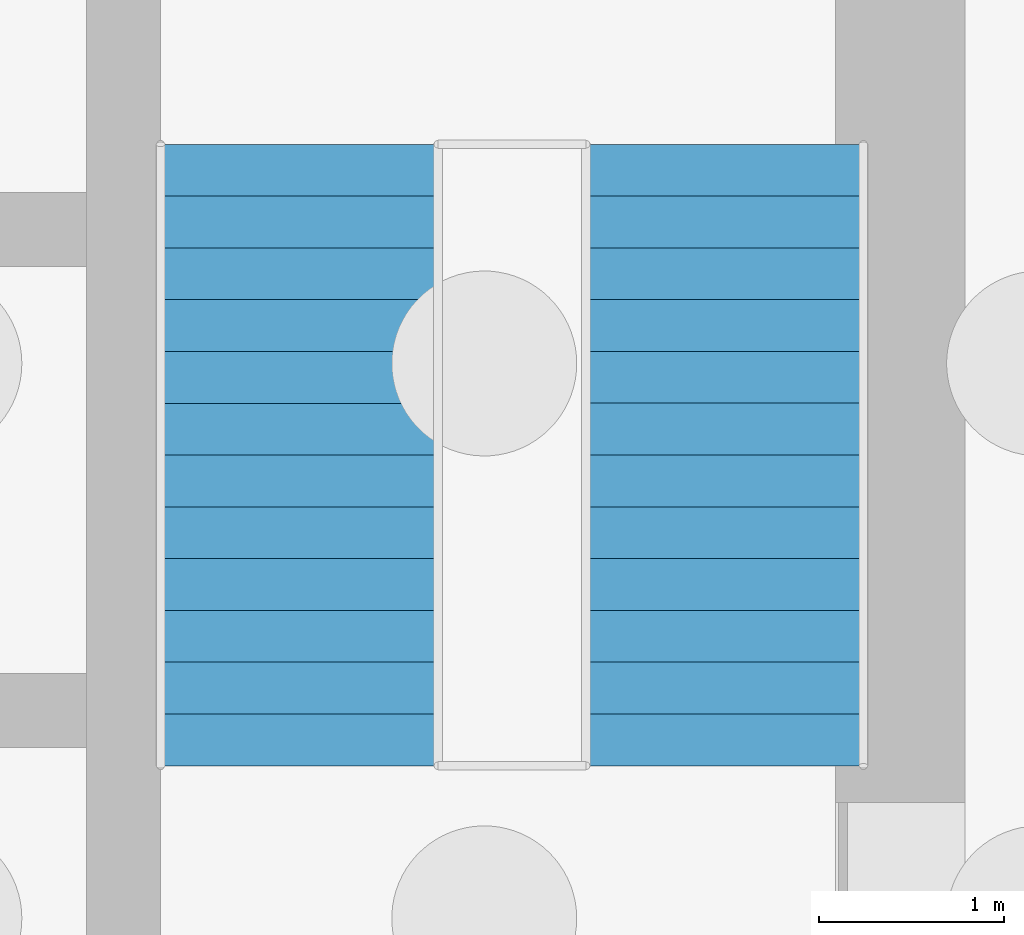
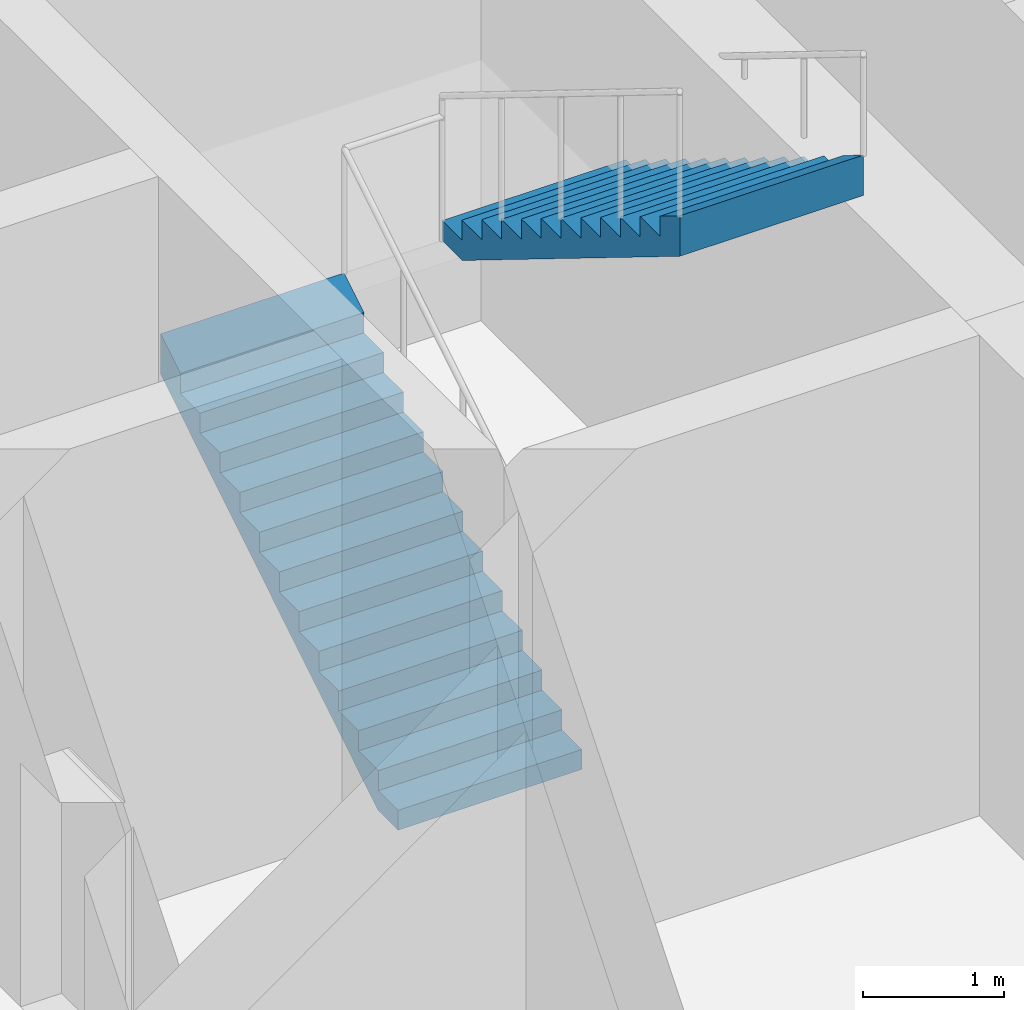
# One storey, part 14 of 16: 2 stair flights, 1 element without a shape of its own.
"""IFC4 building model written with IfcOpenShell, lengths in metres."""

import ifcopenshell
import ifcopenshell.guid

model = None  # the IFC model being written
_history = None  # IfcOwnerHistory: only IFC2X3 demands one
_inside = {}  # id of a spatial element -> (the spatial element, [elements in it])
_under = {}  # id of a project, library or spatial element -> (it, [spatial elements below it])
_declared = {}  # id of a project -> (the project, [libraries it declares])
_typed = {}  # id of a type object -> (the type object, [elements of that type])
_made_of = {}  # id of a material, layer set ... -> (it, [elements and type objects made of it])


def new_model(schema):
    """Start an empty IFC model of exactly this schema.

    Asked for "IFC4X3", IfcOpenShell would pick the latest addendum, in which some entities
    have other attributes; the version numbers below select the first issue.
    IFC2X3 requires an IfcOwnerHistory on every rooted entity: one is made here for all.
    """
    global model, _history
    if schema == "IFC4X3":
        model = ifcopenshell.file(schema_version=(4, 3, 0, 0))
    else:
        model = ifcopenshell.file(schema=schema)
    _inside.clear()
    _under.clear()
    _declared.clear()
    _typed.clear()
    _made_of.clear()
    _history = None
    if model.schema == "IFC2X3":
        org = make("IfcOrganization", Name="unknown")
        user = make(
            "IfcPersonAndOrganization",
            ThePerson=make("IfcPerson", FamilyName="unknown"),
            TheOrganization=org,
        )
        app = make(
            "IfcApplication",
            ApplicationDeveloper=org,
            Version="unknown",
            ApplicationFullName="unknown",
            ApplicationIdentifier="unknown",
        )
        _history = make(
            "IfcOwnerHistory",
            OwningUser=user,
            OwningApplication=app,
            ChangeAction="ADDED",
            CreationDate=0,
        )
    return model


def make(cls, **values):
    """One entity of the class cls with the attributes given. An attribute that is None is left unset."""
    return model.create_entity(
        cls, **{name: value for name, value in values.items() if value is not None}
    )


def rooted(cls, **values):
    """An entity with a GlobalId (a new one), such as an element, a storey or a relation."""
    return make(cls, GlobalId=ifcopenshell.guid.new(), OwnerHistory=_history, **values)


def si_unit(unit_type, name, prefix=None):
    """IfcSIUnit, for example si_unit("LENGTHUNIT", "METRE", prefix="MILLI")."""
    return make("IfcSIUnit", UnitType=unit_type, Prefix=prefix, Name=name)


def assignment(units):
    """IfcUnitAssignment: the units of a project."""
    return None if units is None else make("IfcUnitAssignment", Units=units)


def point(xyz):
    """IfcCartesianPoint."""
    return None if xyz is None else make("IfcCartesianPoint", Coordinates=xyz)


def direction(xyz):
    """IfcDirection."""
    return None if xyz is None else make("IfcDirection", DirectionRatios=xyz)


def frame(location, z_axis=None, x_axis=None):
    """IfcAxis2Placement3D, a coordinate frame: its origin and axes. An axis left out is left unset."""
    return make(
        "IfcAxis2Placement3D",
        Location=point(location),
        Axis=direction(z_axis),
        RefDirection=direction(x_axis),
    )


def origin():
    """The frame at (0, 0, 0) with its axes left unset."""
    return frame((0.0, 0.0, 0.0))


def place(relative_to, where):
    """IfcLocalPlacement: puts the frame where relative to a parent placement (None: the world)."""
    return make(
        "IfcLocalPlacement", PlacementRelTo=relative_to, RelativePlacement=where
    )


def context(
    kind, dimensions, precision=None, world=None, true_north=None, identifier=None
):
    """IfcGeometricRepresentationContext, for example the 3D "Model" context."""
    return make(
        "IfcGeometricRepresentationContext",
        ContextIdentifier=identifier,
        ContextType=kind,
        CoordinateSpaceDimension=dimensions,
        Precision=precision,
        WorldCoordinateSystem=world,
        TrueNorth=true_north,
    )


def subcontext(parent, identifier, kind, view, scale=None):
    """IfcGeometricRepresentationSubContext, for example "Body" below "Model"."""
    return make(
        "IfcGeometricRepresentationSubContext",
        ContextIdentifier=identifier,
        ContextType=kind,
        ParentContext=parent,
        TargetScale=scale,
        TargetView=view,
    )


def project(units=None, contexts=None):
    """IfcProject with its units and contexts."""
    return rooted(
        "IfcProject",
        Name="project",
        RepresentationContexts=contexts,
        UnitsInContext=assignment(units),
    )


def spatial(cls, under=None, at=None, **own):
    """A site, building, storey or space (cls), placed at a placement, below another one or the project."""
    s = rooted(cls, ObjectPlacement=at, **own)
    if under is not None:
        _under.setdefault(under.id(), (under, []))[1].append(s)
    return s


def point_list(points):
    """IfcCartesianPointList2D or 3D."""
    cls = (
        "IfcCartesianPointList2D" if len(points[0]) == 2 else "IfcCartesianPointList3D"
    )
    return make(cls, CoordList=points)


def triangles(points, corners, closed=None, point_numbers=None):
    """IfcTriangulatedFaceSet: each triangle names its three corners, points numbered from 1."""
    return make(
        "IfcTriangulatedFaceSet",
        Coordinates=point_list(points),
        Closed=closed,
        CoordIndex=corners,
        PnIndex=point_numbers,
    )


def shape(context_of_items, identifier, shape_type, items):
    """IfcShapeRepresentation: the items that make up one representation, for example the "Body"."""
    return make(
        "IfcShapeRepresentation",
        ContextOfItems=context_of_items,
        RepresentationIdentifier=identifier,
        RepresentationType=shape_type,
        Items=items,
    )


def material(Name=None, Category=None):
    """IfcMaterial."""
    return make("IfcMaterial", Name=Name, Category=Category)


def made_of(thing, what):
    """Note that an element or type object is made of a material, layer set ...; save() writes the relation."""
    if what is not None:
        _made_of.setdefault(what.id(), (what, []))[1].append(thing)
    return thing


def type_object(cls, material=None, **own):
    """A type object (cls), such as IfcWallType, which elements share."""
    return made_of(rooted(cls, **own), material)


def element(
    cls,
    number,
    at=None,
    inside=None,
    cuts=None,
    type_object=None,
    material=None,
    context=None,
    identifier="Body",
    shape_type=None,
    held_by="IfcProductDefinitionShape",
    body=None,
    shapes=None,
    **own,
):
    """One element of the class cls, such as IfcWall. Its Tag is "e" and its number.

    at: its placement. inside: the storey or other place that contains it. cuts: it is an
    opening in that element (IfcRelVoidsElement). A single representation is given by context,
    identifier, shape_type and body (its items); several are given by shapes. held_by: the class
    of the entity that holds the representations. save() writes the other relations.
    """
    e = rooted(cls, Tag="e%d" % number, ObjectPlacement=at, **own)
    if body is not None:
        shapes = [shape(context, identifier, shape_type, body)]
    if shapes is not None:
        e.Representation = make(held_by, Representations=shapes)
    if inside is not None:
        _inside.setdefault(inside.id(), (inside, []))[1].append(e)
    if cuts is not None:
        rooted(
            "IfcRelVoidsElement", RelatingBuildingElement=cuts, RelatedOpeningElement=e
        )
    if type_object is not None:
        _typed.setdefault(type_object.id(), (type_object, []))[1].append(e)
    return made_of(e, material)


def aggregate(whole, parts):
    """IfcRelAggregates: a whole, such as a stair, and the parts it consists of."""
    return rooted("IfcRelAggregates", RelatingObject=whole, RelatedObjects=parts)


def save(model, path):
    """Write the relations noted so far, then the file.

    IfcRelAggregates (storeys below a building ...), IfcRelContainedInSpatialStructure (elements
    in a storey), IfcRelDefinesByType, IfcRelAssociatesMaterial and IfcRelDeclares: one each for
    every whole, place, type object, material and project.
    """
    for whole, parts in _under.values():
        aggregate(whole, parts)
    for where, things in _inside.values():
        rooted(
            "IfcRelContainedInSpatialStructure",
            RelatedElements=things,
            RelatingStructure=where,
        )
    for kind, things in _typed.values():
        rooted("IfcRelDefinesByType", RelatedObjects=things, RelatingType=kind)
    for what, things in _made_of.values():
        rooted("IfcRelAssociatesMaterial", RelatedObjects=things, RelatingMaterial=what)
    for by, libraries in _declared.values():
        rooted("IfcRelDeclares", RelatingContext=by, RelatedDefinitions=libraries)
    model.write(path)


model = new_model("IFC4")

# Units and contexts
model_context = context("Model", 3, precision=1e-05, world=origin(), true_north=direction((0.0, 1.0)))
body_context = subcontext(model_context, "Body", "Model", "MODEL_VIEW")
ifc_project = project(units=[si_unit("LENGTHUNIT", "METRE"), si_unit("AREAUNIT", "SQUARE_METRE"), si_unit("VOLUMEUNIT", "CUBIC_METRE"), si_unit("PLANEANGLEUNIT", "RADIAN"), si_unit("MASSUNIT", "GRAM", prefix="KILO")], contexts=[model_context])

# Site, building, storey
site_placement = place(None, origin())
site = spatial("IfcSite", under=ifc_project, at=site_placement, CompositionType="ELEMENT")
building_placement = place(site_placement, origin())
building = spatial("IfcBuilding", under=site, at=building_placement, Name="Ludao Terraces", CompositionType="ELEMENT")
storey_placement = place(building_placement, frame((0.0, 0.0, -9.0)))
storey = spatial("IfcBuildingStorey", under=building, at=storey_placement, Name="B2", CompositionType="ELEMENT", Elevation=-9.0)

# Stair, stair flights
ifc_material = material(Name="Concrete C40", Category="concrete")
stair_type = type_object("IfcStairType", Name="INT Stair", PredefinedType="HALF_TURN_STAIR", material=ifc_material)
stair_placement = place(storey_placement, origin())
stair = element("IfcStair", 1, at=stair_placement, inside=storey, type_object=stair_type, Name="EXIT STAIR 2", PredefinedType="HALF_TURN_STAIR")
stair_flight_type = type_object("IfcStairFlightType", Name="INT Stair flight", PredefinedType="STRAIGHT", material=ifc_material)
stair_flight_1_placement = place(storey_placement, frame((91.5, 79.0, 0.0), z_axis=(0.0, 0.0, 1.0), x_axis=(0.0, 1.0, 0.0)))
stair_flight_1 = element("IfcStairFlight", 2, at=stair_flight_1_placement, type_object=stair_flight_type, Name="ST2 flight 1", NumberOfRisers=13, NumberOfTreads=12, PredefinedType="STRAIGHT", RiserHeight=0.173077, TreadLength=0.28, context=body_context, shape_type="Tessellation", body=[
    triangles([(0.0, -0.75, 0.0), (0.0, -0.5, 0.0), (0.0, -0.25, 0.0), (0.0, 0.0, 0.0), (0.0, 0.25, 0.0), (0.0, 0.5, 0.0), (0.0, 0.75, 0.0), (0.0, -0.75, 0.173095703125), (0.0, -0.5, 0.173095703125), (0.0, -0.25, 0.173095703125), (0.0, 0.0, 0.173095703125), (0.0, 0.25, 0.173095703125), (0.0, 0.5, 0.173095703125), (0.0, 0.75, 0.173095703125), (0.280029296875, -0.75, 0.173095703125), (0.280029296875, -0.5, 0.173095703125), (0.280029296875, -0.25, 0.173095703125), (0.280029296875, 0.0, 0.173095703125), (0.280029296875, 0.25, 0.173095703125), (0.280029296875, 0.5, 0.173095703125), (0.280029296875, 0.75, 0.173095703125), (0.280029296875, -0.75, 0.34619140625), (0.280029296875, -0.5, 0.34619140625), (0.280029296875, -0.25, 0.34619140625), (0.280029296875, 0.0, 0.34619140625), (0.280029296875, 0.25, 0.34619140625), (0.280029296875, 0.5, 0.34619140625), (0.280029296875, 0.75, 0.34619140625), (0.56005859375, -0.75, 0.34619140625), (0.56005859375, -0.5, 0.34619140625), (0.56005859375, -0.25, 0.34619140625), (0.56005859375, 0.0, 0.34619140625), (0.56005859375, 0.25, 0.34619140625), (0.56005859375, 0.5, 0.34619140625), (0.56005859375, 0.75, 0.34619140625), (0.56005859375, -0.75, 0.519287109375), (0.56005859375, -0.5, 0.519287109375), (0.56005859375, -0.25, 0.519287109375), (0.56005859375, 0.0, 0.519287109375), (0.56005859375, 0.25, 0.519287109375), (0.56005859375, 0.5, 0.519287109375), (0.56005859375, 0.75, 0.519287109375), (0.840087890625, -0.75, 0.519287109375), (0.840087890625, -0.5, 0.519287109375), (0.840087890625, -0.25, 0.519287109375), (0.840087890625, 0.0, 0.519287109375), (0.840087890625, 0.25, 0.519287109375), (0.840087890625, 0.5, 0.519287109375), (0.840087890625, 0.75, 0.519287109375), (0.840087890625, -0.75, 0.6923828125), (0.840087890625, -0.5, 0.6923828125), (0.840087890625, -0.25, 0.6923828125), (0.840087890625, 0.0, 0.6923828125), (0.840087890625, 0.25, 0.6923828125), (0.840087890625, 0.5, 0.6923828125), (0.840087890625, 0.75, 0.6923828125), (1.1201171875, -0.75, 0.6923828125), (1.1201171875, -0.5, 0.6923828125), (1.1201171875, -0.25, 0.6923828125), (1.1201171875, 0.0, 0.6923828125), (1.1201171875, 0.25, 0.6923828125), (1.1201171875, 0.5, 0.6923828125), (1.1201171875, 0.75, 0.6923828125), (1.1201171875, -0.75, 0.865478515625), (1.1201171875, -0.5, 0.865478515625), (1.1201171875, -0.25, 0.865478515625), (1.1201171875, 0.0, 0.865478515625), (1.1201171875, 0.25, 0.865478515625), (1.1201171875, 0.5, 0.865478515625), (1.1201171875, 0.75, 0.865478515625), (1.39990234375, -0.75, 0.865478515625), (1.39990234375, -0.5, 0.865478515625), (1.39990234375, -0.25, 0.865478515625), (1.39990234375, 0.0, 0.865478515625), (1.39990234375, 0.25, 0.865478515625), (1.39990234375, 0.5, 0.865478515625), (1.39990234375, 0.75, 0.865478515625), (1.39990234375, -0.75, 1.03857421875), (1.39990234375, -0.5, 1.03857421875), (1.39990234375, -0.25, 1.03857421875), (1.39990234375, 0.0, 1.03857421875), (1.39990234375, 0.25, 1.03857421875), (1.39990234375, 0.5, 1.03857421875), (1.39990234375, 0.75, 1.03857421875), (1.679931640625, -0.75, 1.03857421875), (1.679931640625, -0.5, 1.03857421875), (1.679931640625, -0.25, 1.03857421875), (1.679931640625, 0.0, 1.03857421875), (1.679931640625, 0.25, 1.03857421875), (1.679931640625, 0.5, 1.03857421875), (1.679931640625, 0.75, 1.03857421875), (1.679931640625, -0.75, 1.21142578125), (1.679931640625, -0.5, 1.21142578125), (1.679931640625, -0.25, 1.21142578125), (1.679931640625, 0.0, 1.21142578125), (1.679931640625, 0.25, 1.21142578125), (1.679931640625, 0.5, 1.21142578125), (1.679931640625, 0.75, 1.21142578125), (1.9599609375, -0.75, 1.21142578125), (1.9599609375, -0.5, 1.21142578125), (1.9599609375, -0.25, 1.21142578125), (1.9599609375, 0.0, 1.21142578125), (1.9599609375, 0.25, 1.21142578125), (1.9599609375, 0.5, 1.21142578125), (1.9599609375, 0.75, 1.21142578125), (1.9599609375, -0.75, 1.384521484375), (1.9599609375, -0.5, 1.384521484375), (1.9599609375, -0.25, 1.384521484375), (1.9599609375, 0.0, 1.384521484375), (1.9599609375, 0.25, 1.384521484375), (1.9599609375, 0.5, 1.384521484375), (1.9599609375, 0.75, 1.384521484375), (2.239990234375, -0.75, 1.384521484375), (2.239990234375, -0.5, 1.384521484375), (2.239990234375, -0.25, 1.384521484375), (2.239990234375, 0.0, 1.384521484375), (2.239990234375, 0.25, 1.384521484375), (2.239990234375, 0.5, 1.384521484375), (2.239990234375, 0.75, 1.384521484375), (2.239990234375, -0.75, 1.5576171875), (2.239990234375, -0.5, 1.5576171875), (2.239990234375, -0.25, 1.5576171875), (2.239990234375, 0.0, 1.5576171875), (2.239990234375, 0.25, 1.5576171875), (2.239990234375, 0.5, 1.5576171875), (2.239990234375, 0.75, 1.5576171875), (2.52001953125, -0.75, 1.5576171875), (2.52001953125, -0.5, 1.5576171875), (2.52001953125, -0.25, 1.5576171875), (2.52001953125, 0.0, 1.5576171875), (2.52001953125, 0.25, 1.5576171875), (2.52001953125, 0.5, 1.5576171875), (2.52001953125, 0.75, 1.5576171875), (2.52001953125, -0.75, 1.730712890625), (2.52001953125, -0.5, 1.730712890625), (2.52001953125, -0.25, 1.730712890625), (2.52001953125, 0.0, 1.730712890625), (2.52001953125, 0.25, 1.730712890625), (2.52001953125, 0.5, 1.730712890625), (2.52001953125, 0.75, 1.730712890625), (2.800048828125, -0.75, 1.730712890625), (2.800048828125, -0.5, 1.730712890625), (2.800048828125, -0.25, 1.730712890625), (2.800048828125, 0.0, 1.730712890625), (2.800048828125, 0.25, 1.730712890625), (2.800048828125, 0.5, 1.730712890625), (2.800048828125, 0.75, 1.730712890625), (2.800048828125, -0.75, 1.90380859375), (2.800048828125, -0.5, 1.90380859375), (2.800048828125, -0.25, 1.90380859375), (2.800048828125, 0.0, 1.90380859375), (2.800048828125, 0.25, 1.90380859375), (2.800048828125, 0.5, 1.90380859375), (2.800048828125, 0.75, 1.90380859375), (3.080078125, -0.75, 1.90380859375), (3.080078125, -0.5, 1.90380859375), (3.080078125, -0.25, 1.90380859375), (3.080078125, 0.0, 1.90380859375), (3.080078125, 0.25, 1.90380859375), (3.080078125, 0.5, 1.90380859375), (3.080078125, 0.75, 1.90380859375), (3.080078125, -0.75, 2.076904296875), (3.080078125, -0.5, 2.076904296875), (3.080078125, -0.25, 2.076904296875), (3.080078125, 0.0, 2.076904296875), (3.080078125, 0.25, 2.076904296875), (3.080078125, 0.5, 2.076904296875), (3.080078125, 0.75, 2.076904296875), (3.360107421875, -0.75, 2.25), (3.360107421875, -0.5, 2.25), (3.360107421875, -0.25, 2.25), (3.360107421875, 0.0, 2.25), (3.360107421875, 0.25, 2.25), (3.360107421875, 0.5, 2.25), (3.360107421875, 0.75, 2.25), (3.360107421875, -0.75, 1.900634765625), (3.360107421875, -0.5, 1.900634765625), (3.360107421875, -0.25, 1.900634765625), (3.360107421875, 0.0, 1.900634765625), (3.360107421875, 0.25, 1.900634765625), (3.360107421875, 0.5, 1.900634765625), (3.360107421875, 0.75, 1.900634765625), (0.28515625, -0.75, 0.0), (0.28515625, -0.5, 0.0), (0.28515625, -0.25, 0.0), (0.28515625, 0.0, 0.0), (0.28515625, 0.25, 0.0), (0.28515625, 0.5, 0.0), (0.28515625, 0.75, 0.0)], [[1, 183, 176], [7, 182, 189], [176, 169, 162], [182, 168, 175], [176, 162, 155], [182, 161, 168], [176, 155, 148], [182, 154, 161], [176, 148, 141], [182, 147, 154], [141, 134, 127], [147, 133, 140], [176, 141, 127], [182, 133, 147], [127, 120, 113], [133, 119, 126], [176, 127, 113], [182, 119, 133], [113, 106, 99], [119, 105, 112], [176, 113, 99], [182, 105, 119], [1, 176, 99], [7, 105, 182], [99, 92, 85], [105, 91, 98], [85, 78, 71], [91, 77, 84], [99, 85, 71], [105, 77, 91], [71, 64, 57], [77, 63, 70], [99, 71, 57], [105, 63, 77], [57, 50, 43], [63, 49, 56], [99, 57, 43], [105, 49, 63], [43, 36, 29], [49, 35, 42], [99, 43, 29], [105, 35, 49], [29, 22, 15], [35, 21, 28], [99, 29, 15], [105, 21, 35], [1, 99, 15], [7, 21, 105], [15, 8, 1], [21, 7, 14], [1, 9, 2], [1, 8, 9], [2, 10, 3], [2, 9, 10], [3, 11, 4], [3, 10, 11], [4, 12, 5], [4, 11, 12], [5, 13, 6], [5, 12, 13], [6, 14, 7], [6, 13, 14], [8, 16, 9], [8, 15, 16], [9, 17, 10], [9, 16, 17], [10, 18, 11], [10, 17, 18], [11, 19, 12], [11, 18, 19], [12, 20, 13], [12, 19, 20], [13, 21, 14], [13, 20, 21], [15, 23, 16], [15, 22, 23], [16, 24, 17], [16, 23, 24], [17, 25, 18], [17, 24, 25], [18, 26, 19], [18, 25, 26], [19, 27, 20], [19, 26, 27], [20, 28, 21], [20, 27, 28], [22, 30, 23], [22, 29, 30], [23, 31, 24], [23, 30, 31], [24, 32, 25], [24, 31, 32], [25, 33, 26], [25, 32, 33], [26, 34, 27], [26, 33, 34], [27, 35, 28], [27, 34, 35], [29, 37, 30], [29, 36, 37], [30, 38, 31], [30, 37, 38], [31, 39, 32], [31, 38, 39], [32, 40, 33], [32, 39, 40], [33, 41, 34], [33, 40, 41], [34, 42, 35], [34, 41, 42], [36, 44, 37], [36, 43, 44], [37, 45, 38], [37, 44, 45], [38, 46, 39], [38, 45, 46], [39, 47, 40], [39, 46, 47], [40, 48, 41], [40, 47, 48], [41, 49, 42], [41, 48, 49], [43, 51, 44], [43, 50, 51], [44, 52, 45], [44, 51, 52], [45, 53, 46], [45, 52, 53], [46, 54, 47], [46, 53, 54], [47, 55, 48], [47, 54, 55], [48, 56, 49], [48, 55, 56], [50, 58, 51], [50, 57, 58], [51, 59, 52], [51, 58, 59], [52, 60, 53], [52, 59, 60], [53, 61, 54], [53, 60, 61], [54, 62, 55], [54, 61, 62], [55, 63, 56], [55, 62, 63], [57, 65, 58], [57, 64, 65], [58, 66, 59], [58, 65, 66], [59, 67, 60], [59, 66, 67], [60, 68, 61], [60, 67, 68], [61, 69, 62], [61, 68, 69], [62, 70, 63], [62, 69, 70], [64, 72, 65], [64, 71, 72], [65, 73, 66], [65, 72, 73], [66, 74, 67], [66, 73, 74], [67, 75, 68], [67, 74, 75], [68, 76, 69], [68, 75, 76], [69, 77, 70], [69, 76, 77], [71, 79, 72], [71, 78, 79], [72, 80, 73], [72, 79, 80], [73, 81, 74], [73, 80, 81], [74, 82, 75], [74, 81, 82], [75, 83, 76], [75, 82, 83], [76, 84, 77], [76, 83, 84], [78, 86, 79], [78, 85, 86], [79, 87, 80], [79, 86, 87], [80, 88, 81], [80, 87, 88], [81, 89, 82], [81, 88, 89], [82, 90, 83], [82, 89, 90], [83, 91, 84], [83, 90, 91], [85, 93, 86], [85, 92, 93], [86, 94, 87], [86, 93, 94], [87, 95, 88], [87, 94, 95], [88, 96, 89], [88, 95, 96], [89, 97, 90], [89, 96, 97], [90, 98, 91], [90, 97, 98], [92, 100, 93], [92, 99, 100], [93, 101, 94], [93, 100, 101], [94, 102, 95], [94, 101, 102], [95, 103, 96], [95, 102, 103], [96, 104, 97], [96, 103, 104], [97, 105, 98], [97, 104, 105], [99, 107, 100], [99, 106, 107], [100, 108, 101], [100, 107, 108], [101, 109, 102], [101, 108, 109], [102, 110, 103], [102, 109, 110], [103, 111, 104], [103, 110, 111], [104, 112, 105], [104, 111, 112], [106, 114, 107], [106, 113, 114], [107, 115, 108], [107, 114, 115], [108, 116, 109], [108, 115, 116], [109, 117, 110], [109, 116, 117], [110, 118, 111], [110, 117, 118], [111, 119, 112], [111, 118, 119], [113, 121, 114], [113, 120, 121], [114, 122, 115], [114, 121, 122], [115, 123, 116], [115, 122, 123], [116, 124, 117], [116, 123, 124], [117, 125, 118], [117, 124, 125], [118, 126, 119], [118, 125, 126], [120, 128, 121], [120, 127, 128], [121, 129, 122], [121, 128, 129], [122, 130, 123], [122, 129, 130], [123, 131, 124], [123, 130, 131], [124, 132, 125], [124, 131, 132], [125, 133, 126], [125, 132, 133], [127, 135, 128], [127, 134, 135], [128, 136, 129], [128, 135, 136], [129, 137, 130], [129, 136, 137], [130, 138, 131], [130, 137, 138], [131, 139, 132], [131, 138, 139], [132, 140, 133], [132, 139, 140], [134, 142, 135], [134, 141, 142], [135, 143, 136], [135, 142, 143], [136, 144, 137], [136, 143, 144], [137, 145, 138], [137, 144, 145], [138, 146, 139], [138, 145, 146], [139, 147, 140], [139, 146, 147], [141, 149, 142], [141, 148, 149], [142, 150, 143], [142, 149, 150], [143, 151, 144], [143, 150, 151], [144, 152, 145], [144, 151, 152], [145, 153, 146], [145, 152, 153], [146, 154, 147], [146, 153, 154], [148, 156, 149], [148, 155, 156], [149, 157, 150], [149, 156, 157], [150, 158, 151], [150, 157, 158], [151, 159, 152], [151, 158, 159], [152, 160, 153], [152, 159, 160], [153, 161, 154], [153, 160, 161], [155, 163, 156], [155, 162, 163], [156, 164, 157], [156, 163, 164], [157, 165, 158], [157, 164, 165], [158, 166, 159], [158, 165, 166], [159, 167, 160], [159, 166, 167], [160, 168, 161], [160, 167, 168], [162, 170, 163], [162, 169, 170], [163, 171, 164], [163, 170, 171], [164, 172, 165], [164, 171, 172], [165, 173, 166], [165, 172, 173], [166, 174, 167], [166, 173, 174], [167, 175, 168], [167, 174, 175], [169, 177, 170], [169, 176, 177], [170, 178, 171], [170, 177, 178], [171, 179, 172], [171, 178, 179], [172, 180, 173], [172, 179, 180], [173, 181, 174], [173, 180, 181], [174, 182, 175], [174, 181, 182], [176, 184, 177], [176, 183, 184], [177, 185, 178], [177, 184, 185], [178, 186, 179], [178, 185, 186], [179, 187, 180], [179, 186, 187], [180, 188, 181], [180, 187, 188], [181, 189, 182], [181, 188, 189], [183, 2, 184], [183, 1, 2], [184, 3, 185], [184, 2, 3], [185, 4, 186], [185, 3, 4], [186, 5, 187], [186, 4, 5], [187, 6, 188], [187, 5, 6], [188, 7, 189], [188, 6, 7]], closed=True),
])
stair_flight_2_placement = place(storey_placement, frame((93.800048828125, 82.360107421875, 2.25), z_axis=(0.0, 0.0, 1.0), x_axis=(0.0, -1.0, 0.0)))
stair_flight_2 = element("IfcStairFlight", 3, at=stair_flight_2_placement, type_object=stair_flight_type, Name="ST2 flight 2", NumberOfRisers=13, NumberOfTreads=12, PredefinedType="STRAIGHT", RiserHeight=0.173077, TreadLength=0.28, context=body_context, shape_type="Tessellation", body=[
    triangles([(0.0, -0.75, 0.0), (0.0, -0.5, 0.0), (0.0, -0.25, 0.0), (0.0, 0.0, 0.0), (0.0, 0.25, 0.0), (0.0, 0.5, 0.0), (0.0, 0.75, 0.0), (0.0, -0.75, 0.173095703125), (0.0, -0.5, 0.173095703125), (0.0, -0.25, 0.173095703125), (0.0, 0.0, 0.173095703125), (0.0, 0.25, 0.173095703125), (0.0, 0.5, 0.173095703125), (0.0, 0.75, 0.173095703125), (0.280029296875, -0.75, 0.173095703125), (0.280029296875, -0.5, 0.173095703125), (0.280029296875, -0.25, 0.173095703125), (0.280029296875, 0.0, 0.173095703125), (0.280029296875, 0.25, 0.173095703125), (0.280029296875, 0.5, 0.173095703125), (0.280029296875, 0.75, 0.173095703125), (0.280029296875, -0.75, 0.34619140625), (0.280029296875, -0.5, 0.34619140625), (0.280029296875, -0.25, 0.34619140625), (0.280029296875, 0.0, 0.34619140625), (0.280029296875, 0.25, 0.34619140625), (0.280029296875, 0.5, 0.34619140625), (0.280029296875, 0.75, 0.34619140625), (0.56005859375, -0.75, 0.34619140625), (0.56005859375, -0.5, 0.34619140625), (0.56005859375, -0.25, 0.34619140625), (0.56005859375, 0.0, 0.34619140625), (0.56005859375, 0.25, 0.34619140625), (0.56005859375, 0.5, 0.34619140625), (0.56005859375, 0.75, 0.34619140625), (0.56005859375, -0.75, 0.519287109375), (0.56005859375, -0.5, 0.519287109375), (0.56005859375, -0.25, 0.519287109375), (0.56005859375, 0.0, 0.519287109375), (0.56005859375, 0.25, 0.519287109375), (0.56005859375, 0.5, 0.519287109375), (0.56005859375, 0.75, 0.519287109375), (0.840087890625, -0.75, 0.519287109375), (0.840087890625, -0.5, 0.519287109375), (0.840087890625, -0.25, 0.519287109375), (0.840087890625, 0.0, 0.519287109375), (0.840087890625, 0.25, 0.519287109375), (0.840087890625, 0.5, 0.519287109375), (0.840087890625, 0.75, 0.519287109375), (0.840087890625, -0.75, 0.6923828125), (0.840087890625, -0.5, 0.6923828125), (0.840087890625, -0.25, 0.6923828125), (0.840087890625, 0.0, 0.6923828125), (0.840087890625, 0.25, 0.6923828125), (0.840087890625, 0.5, 0.6923828125), (0.840087890625, 0.75, 0.6923828125), (1.1201171875, -0.75, 0.6923828125), (1.1201171875, -0.5, 0.6923828125), (1.1201171875, -0.25, 0.6923828125), (1.1201171875, 0.0, 0.6923828125), (1.1201171875, 0.25, 0.6923828125), (1.1201171875, 0.5, 0.6923828125), (1.1201171875, 0.75, 0.6923828125), (1.1201171875, -0.75, 0.865478515625), (1.1201171875, -0.5, 0.865478515625), (1.1201171875, -0.25, 0.865478515625), (1.1201171875, 0.0, 0.865478515625), (1.1201171875, 0.25, 0.865478515625), (1.1201171875, 0.5, 0.865478515625), (1.1201171875, 0.75, 0.865478515625), (1.39990234375, -0.75, 0.865478515625), (1.39990234375, -0.5, 0.865478515625), (1.39990234375, -0.25, 0.865478515625), (1.39990234375, 0.0, 0.865478515625), (1.39990234375, 0.25, 0.865478515625), (1.39990234375, 0.5, 0.865478515625), (1.39990234375, 0.75, 0.865478515625), (1.39990234375, -0.75, 1.03857421875), (1.39990234375, -0.5, 1.03857421875), (1.39990234375, -0.25, 1.03857421875), (1.39990234375, 0.0, 1.03857421875), (1.39990234375, 0.25, 1.03857421875), (1.39990234375, 0.5, 1.03857421875), (1.39990234375, 0.75, 1.03857421875), (1.679931640625, -0.75, 1.03857421875), (1.679931640625, -0.5, 1.03857421875), (1.679931640625, -0.25, 1.03857421875), (1.679931640625, 0.0, 1.03857421875), (1.679931640625, 0.25, 1.03857421875), (1.679931640625, 0.5, 1.03857421875), (1.679931640625, 0.75, 1.03857421875), (1.679931640625, -0.75, 1.21142578125), (1.679931640625, -0.5, 1.21142578125), (1.679931640625, -0.25, 1.21142578125), (1.679931640625, 0.0, 1.21142578125), (1.679931640625, 0.25, 1.21142578125), (1.679931640625, 0.5, 1.21142578125), (1.679931640625, 0.75, 1.21142578125), (1.9599609375, -0.75, 1.21142578125), (1.9599609375, -0.5, 1.21142578125), (1.9599609375, -0.25, 1.21142578125), (1.9599609375, 0.0, 1.21142578125), (1.9599609375, 0.25, 1.21142578125), (1.9599609375, 0.5, 1.21142578125), (1.9599609375, 0.75, 1.21142578125), (1.9599609375, -0.75, 1.384521484375), (1.9599609375, -0.5, 1.384521484375), (1.9599609375, -0.25, 1.384521484375), (1.9599609375, 0.0, 1.384521484375), (1.9599609375, 0.25, 1.384521484375), (1.9599609375, 0.5, 1.384521484375), (1.9599609375, 0.75, 1.384521484375), (2.239990234375, -0.75, 1.384521484375), (2.239990234375, -0.5, 1.384521484375), (2.239990234375, -0.25, 1.384521484375), (2.239990234375, 0.0, 1.384521484375), (2.239990234375, 0.25, 1.384521484375), (2.239990234375, 0.5, 1.384521484375), (2.239990234375, 0.75, 1.384521484375), (2.239990234375, -0.75, 1.5576171875), (2.239990234375, -0.5, 1.5576171875), (2.239990234375, -0.25, 1.5576171875), (2.239990234375, 0.0, 1.5576171875), (2.239990234375, 0.25, 1.5576171875), (2.239990234375, 0.5, 1.5576171875), (2.239990234375, 0.75, 1.5576171875), (2.52001953125, -0.75, 1.5576171875), (2.52001953125, -0.5, 1.5576171875), (2.52001953125, -0.25, 1.5576171875), (2.52001953125, 0.0, 1.5576171875), (2.52001953125, 0.25, 1.5576171875), (2.52001953125, 0.5, 1.5576171875), (2.52001953125, 0.75, 1.5576171875), (2.52001953125, -0.75, 1.730712890625), (2.52001953125, -0.5, 1.730712890625), (2.52001953125, -0.25, 1.730712890625), (2.52001953125, 0.0, 1.730712890625), (2.52001953125, 0.25, 1.730712890625), (2.52001953125, 0.5, 1.730712890625), (2.52001953125, 0.75, 1.730712890625), (2.800048828125, -0.75, 1.730712890625), (2.800048828125, -0.5, 1.730712890625), (2.800048828125, -0.25, 1.730712890625), (2.800048828125, 0.0, 1.730712890625), (2.800048828125, 0.25, 1.730712890625), (2.800048828125, 0.5, 1.730712890625), (2.800048828125, 0.75, 1.730712890625), (2.800048828125, -0.75, 1.90380859375), (2.800048828125, -0.5, 1.90380859375), (2.800048828125, -0.25, 1.90380859375), (2.800048828125, 0.0, 1.90380859375), (2.800048828125, 0.25, 1.90380859375), (2.800048828125, 0.5, 1.90380859375), (2.800048828125, 0.75, 1.90380859375), (3.080078125, -0.75, 1.90380859375), (3.080078125, -0.5, 1.90380859375), (3.080078125, -0.25, 1.90380859375), (3.080078125, 0.0, 1.90380859375), (3.080078125, 0.25, 1.90380859375), (3.080078125, 0.5, 1.90380859375), (3.080078125, 0.75, 1.90380859375), (3.080078125, -0.75, 2.076904296875), (3.080078125, -0.5, 2.076904296875), (3.080078125, -0.25, 2.076904296875), (3.080078125, 0.0, 2.076904296875), (3.080078125, 0.25, 2.076904296875), (3.080078125, 0.5, 2.076904296875), (3.080078125, 0.75, 2.076904296875), (3.360107421875, -0.75, 2.25), (3.360107421875, -0.5, 2.25), (3.360107421875, -0.25, 2.25), (3.360107421875, 0.0, 2.25), (3.360107421875, 0.25, 2.25), (3.360107421875, 0.5, 2.25), (3.360107421875, 0.75, 2.25), (3.360107421875, -0.75, 1.900634765625), (3.360107421875, -0.5, 1.900634765625), (3.360107421875, -0.25, 1.900634765625), (3.360107421875, 0.0, 1.900634765625), (3.360107421875, 0.25, 1.900634765625), (3.360107421875, 0.5, 1.900634765625), (3.360107421875, 0.75, 1.900634765625), (0.28515625, -0.75, 0.0), (0.28515625, -0.5, 0.0), (0.28515625, -0.25, 0.0), (0.28515625, 0.0, 0.0), (0.28515625, 0.25, 0.0), (0.28515625, 0.5, 0.0), (0.28515625, 0.75, 0.0)], [[1, 183, 176], [7, 182, 189], [176, 169, 162], [182, 168, 175], [176, 162, 155], [182, 161, 168], [176, 155, 148], [182, 154, 161], [176, 148, 141], [182, 147, 154], [141, 134, 127], [147, 133, 140], [176, 141, 127], [182, 133, 147], [127, 120, 113], [133, 119, 126], [176, 127, 113], [182, 119, 133], [113, 106, 99], [119, 105, 112], [176, 113, 99], [182, 105, 119], [1, 176, 99], [7, 105, 182], [99, 92, 85], [105, 91, 98], [85, 78, 71], [91, 77, 84], [99, 85, 71], [105, 77, 91], [71, 64, 57], [77, 63, 70], [99, 71, 57], [105, 63, 77], [57, 50, 43], [63, 49, 56], [99, 57, 43], [105, 49, 63], [43, 36, 29], [49, 35, 42], [99, 43, 29], [105, 35, 49], [29, 22, 15], [35, 21, 28], [99, 29, 15], [105, 21, 35], [1, 99, 15], [7, 21, 105], [15, 8, 1], [21, 7, 14], [1, 9, 2], [1, 8, 9], [2, 10, 3], [2, 9, 10], [3, 11, 4], [3, 10, 11], [4, 12, 5], [4, 11, 12], [5, 13, 6], [5, 12, 13], [6, 14, 7], [6, 13, 14], [8, 16, 9], [8, 15, 16], [9, 17, 10], [9, 16, 17], [10, 18, 11], [10, 17, 18], [11, 19, 12], [11, 18, 19], [12, 20, 13], [12, 19, 20], [13, 21, 14], [13, 20, 21], [15, 23, 16], [15, 22, 23], [16, 24, 17], [16, 23, 24], [17, 25, 18], [17, 24, 25], [18, 26, 19], [18, 25, 26], [19, 27, 20], [19, 26, 27], [20, 28, 21], [20, 27, 28], [22, 30, 23], [22, 29, 30], [23, 31, 24], [23, 30, 31], [24, 32, 25], [24, 31, 32], [25, 33, 26], [25, 32, 33], [26, 34, 27], [26, 33, 34], [27, 35, 28], [27, 34, 35], [29, 37, 30], [29, 36, 37], [30, 38, 31], [30, 37, 38], [31, 39, 32], [31, 38, 39], [32, 40, 33], [32, 39, 40], [33, 41, 34], [33, 40, 41], [34, 42, 35], [34, 41, 42], [36, 44, 37], [36, 43, 44], [37, 45, 38], [37, 44, 45], [38, 46, 39], [38, 45, 46], [39, 47, 40], [39, 46, 47], [40, 48, 41], [40, 47, 48], [41, 49, 42], [41, 48, 49], [43, 51, 44], [43, 50, 51], [44, 52, 45], [44, 51, 52], [45, 53, 46], [45, 52, 53], [46, 54, 47], [46, 53, 54], [47, 55, 48], [47, 54, 55], [48, 56, 49], [48, 55, 56], [50, 58, 51], [50, 57, 58], [51, 59, 52], [51, 58, 59], [52, 60, 53], [52, 59, 60], [53, 61, 54], [53, 60, 61], [54, 62, 55], [54, 61, 62], [55, 63, 56], [55, 62, 63], [57, 65, 58], [57, 64, 65], [58, 66, 59], [58, 65, 66], [59, 67, 60], [59, 66, 67], [60, 68, 61], [60, 67, 68], [61, 69, 62], [61, 68, 69], [62, 70, 63], [62, 69, 70], [64, 72, 65], [64, 71, 72], [65, 73, 66], [65, 72, 73], [66, 74, 67], [66, 73, 74], [67, 75, 68], [67, 74, 75], [68, 76, 69], [68, 75, 76], [69, 77, 70], [69, 76, 77], [71, 79, 72], [71, 78, 79], [72, 80, 73], [72, 79, 80], [73, 81, 74], [73, 80, 81], [74, 82, 75], [74, 81, 82], [75, 83, 76], [75, 82, 83], [76, 84, 77], [76, 83, 84], [78, 86, 79], [78, 85, 86], [79, 87, 80], [79, 86, 87], [80, 88, 81], [80, 87, 88], [81, 89, 82], [81, 88, 89], [82, 90, 83], [82, 89, 90], [83, 91, 84], [83, 90, 91], [85, 93, 86], [85, 92, 93], [86, 94, 87], [86, 93, 94], [87, 95, 88], [87, 94, 95], [88, 96, 89], [88, 95, 96], [89, 97, 90], [89, 96, 97], [90, 98, 91], [90, 97, 98], [92, 100, 93], [92, 99, 100], [93, 101, 94], [93, 100, 101], [94, 102, 95], [94, 101, 102], [95, 103, 96], [95, 102, 103], [96, 104, 97], [96, 103, 104], [97, 105, 98], [97, 104, 105], [99, 107, 100], [99, 106, 107], [100, 108, 101], [100, 107, 108], [101, 109, 102], [101, 108, 109], [102, 110, 103], [102, 109, 110], [103, 111, 104], [103, 110, 111], [104, 112, 105], [104, 111, 112], [106, 114, 107], [106, 113, 114], [107, 115, 108], [107, 114, 115], [108, 116, 109], [108, 115, 116], [109, 117, 110], [109, 116, 117], [110, 118, 111], [110, 117, 118], [111, 119, 112], [111, 118, 119], [113, 121, 114], [113, 120, 121], [114, 122, 115], [114, 121, 122], [115, 123, 116], [115, 122, 123], [116, 124, 117], [116, 123, 124], [117, 125, 118], [117, 124, 125], [118, 126, 119], [118, 125, 126], [120, 128, 121], [120, 127, 128], [121, 129, 122], [121, 128, 129], [122, 130, 123], [122, 129, 130], [123, 131, 124], [123, 130, 131], [124, 132, 125], [124, 131, 132], [125, 133, 126], [125, 132, 133], [127, 135, 128], [127, 134, 135], [128, 136, 129], [128, 135, 136], [129, 137, 130], [129, 136, 137], [130, 138, 131], [130, 137, 138], [131, 139, 132], [131, 138, 139], [132, 140, 133], [132, 139, 140], [134, 142, 135], [134, 141, 142], [135, 143, 136], [135, 142, 143], [136, 144, 137], [136, 143, 144], [137, 145, 138], [137, 144, 145], [138, 146, 139], [138, 145, 146], [139, 147, 140], [139, 146, 147], [141, 149, 142], [141, 148, 149], [142, 150, 143], [142, 149, 150], [143, 151, 144], [143, 150, 151], [144, 152, 145], [144, 151, 152], [145, 153, 146], [145, 152, 153], [146, 154, 147], [146, 153, 154], [148, 156, 149], [148, 155, 156], [149, 157, 150], [149, 156, 157], [150, 158, 151], [150, 157, 158], [151, 159, 152], [151, 158, 159], [152, 160, 153], [152, 159, 160], [153, 161, 154], [153, 160, 161], [155, 163, 156], [155, 162, 163], [156, 164, 157], [156, 163, 164], [157, 165, 158], [157, 164, 165], [158, 166, 159], [158, 165, 166], [159, 167, 160], [159, 166, 167], [160, 168, 161], [160, 167, 168], [162, 170, 163], [162, 169, 170], [163, 171, 164], [163, 170, 171], [164, 172, 165], [164, 171, 172], [165, 173, 166], [165, 172, 173], [166, 174, 167], [166, 173, 174], [167, 175, 168], [167, 174, 175], [169, 177, 170], [169, 176, 177], [170, 178, 171], [170, 177, 178], [171, 179, 172], [171, 178, 179], [172, 180, 173], [172, 179, 180], [173, 181, 174], [173, 180, 181], [174, 182, 175], [174, 181, 182], [176, 184, 177], [176, 183, 184], [177, 185, 178], [177, 184, 185], [178, 186, 179], [178, 185, 186], [179, 187, 180], [179, 186, 187], [180, 188, 181], [180, 187, 188], [181, 189, 182], [181, 188, 189], [183, 2, 184], [183, 1, 2], [184, 3, 185], [184, 2, 3], [185, 4, 186], [185, 3, 4], [186, 5, 187], [186, 4, 5], [187, 6, 188], [187, 5, 6], [188, 7, 189], [188, 6, 7]], closed=True),
])
aggregate(stair, [stair_flight_1, stair_flight_2])

save(model, "model.ifc")
